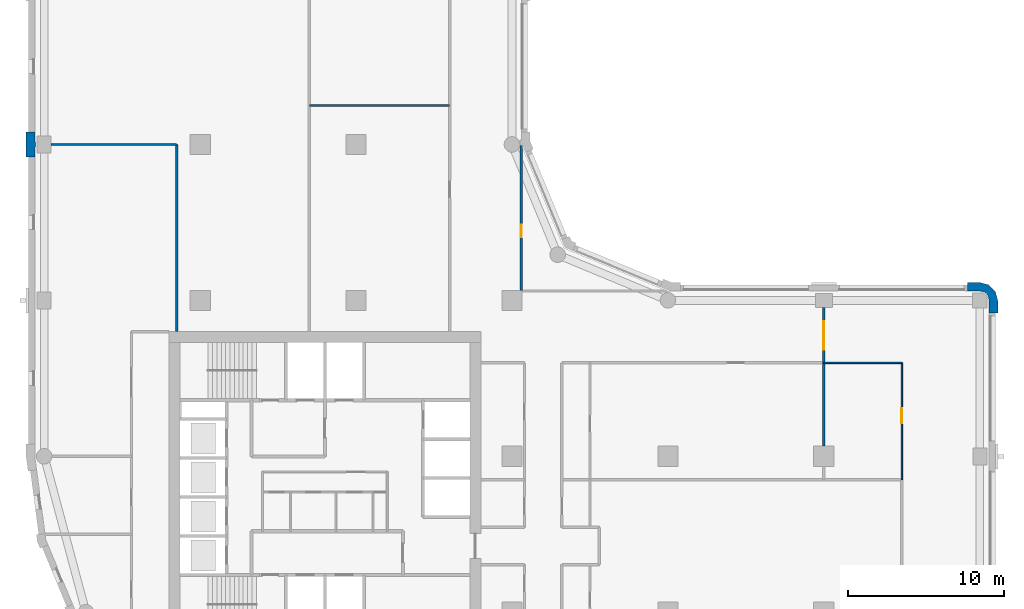
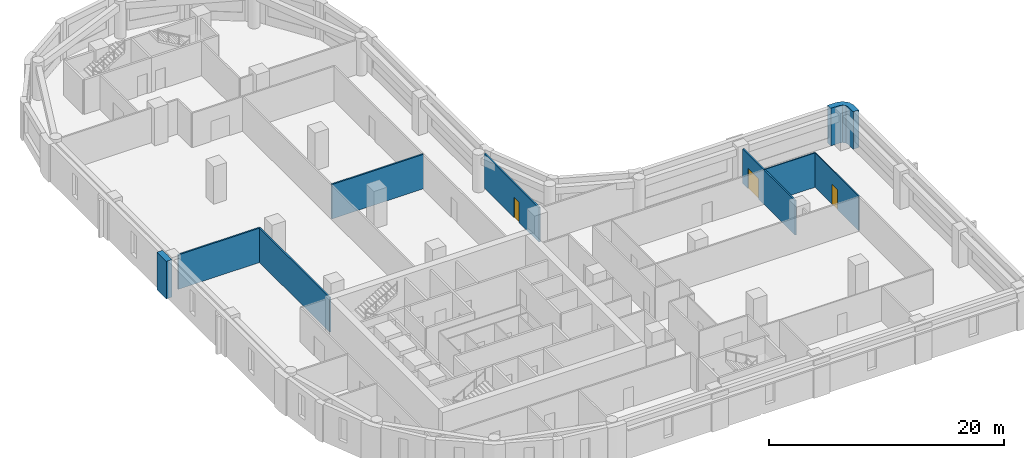
# One storey, part 5 of 9: 9 walls, 3 doors, 3 openings.
"""IFC4 building model written with IfcOpenShell, lengths in metres."""

from ifc_helpers import new_model, si_unit, direction, frame, frame_2d, origin, place, context, subcontext, project, spatial, polyline, rectangle, outline, extrude, material, layer, layer_set, type_object, element, fill, save


model = new_model("IFC4")

# Units and contexts
model_context = context("Model", 3, precision=1e-05, world=origin(), true_north=direction((0.0, 1.0)))
body_context = subcontext(model_context, "Body", "Model", "MODEL_VIEW")
ifc_project = project(units=[si_unit("LENGTHUNIT", "METRE"), si_unit("AREAUNIT", "SQUARE_METRE"), si_unit("VOLUMEUNIT", "CUBIC_METRE"), si_unit("PLANEANGLEUNIT", "RADIAN"), si_unit("MASSUNIT", "GRAM", prefix="KILO")], contexts=[model_context])

# Site, building, storey
site_placement = place(None, origin())
site = spatial("IfcSite", under=ifc_project, at=site_placement, CompositionType="ELEMENT")
building_placement = place(site_placement, origin())
building = spatial("IfcBuilding", under=site, at=building_placement, Name="Qaws Garden Tower", CompositionType="ELEMENT")
storey_placement = place(building_placement, frame((0.0, 0.0, 166.800048828125)))
storey = spatial("IfcBuildingStorey", under=building, at=storey_placement, Name="L40", CompositionType="ELEMENT", Elevation=166.800048828125)

# Walls
ifc_material_1 = material(Name="Buff clay facing brick masonry", Category="masonry")
ifc_layer_1 = layer(ifc_material_1, 0.550048828125)
ifc_layer_set_1 = layer_set([ifc_layer_1], Name="Buff clay facing brick masonry")
wall_type_1 = type_object("IfcWallType", Name="Buff brick corner pier 550 x 2400", PredefinedType="SOLIDWALL", material=ifc_layer_set_1)
placement = place(storey_placement, origin())
element("IfcWall", 1, at=placement, inside=storey, type_object=wall_type_1, Name="E-L40-pier-07", PredefinedType="SOLIDWALL", context=body_context, shape_type="SweptSolid", body=[
    extrude(outline(polyline([(61.0, 29.199951171875), (61.14990234375, 29.199951171875), (61.14990234375, 30.0), (60.995849609375, 30.574951171875), (60.574951171875, 30.995849609375), (60.0, 31.14990234375), (59.199951171875, 31.14990234375), (59.199951171875, 31.0), (59.199951171875, 30.60009765625), (60.0, 30.60009765625), (60.300048828125, 30.51953125), (60.51953125, 30.300048828125), (60.60009765625, 30.0), (60.60009765625, 29.199951171875), (61.0, 29.199951171875)])), origin(), (0.0, 0.0, 1.0), 3.89990234375),
])
ifc_material_2 = material(Name="Buff clay facing brick masonry", Category="masonry")
ifc_layer_2 = layer(ifc_material_2, 0.550048828125)
ifc_layer_set_2 = layer_set([ifc_layer_2], Name="Buff clay facing brick masonry")
wall_type_2 = type_object("IfcWallType", Name="Buff brick pier 550 x 1600", PredefinedType="SOLIDWALL", material=ifc_layer_set_2)
element("IfcWall", 2, at=placement, inside=storey, type_object=wall_type_2, Name="E-L40-pier-23", PredefinedType="SOLIDWALL", context=body_context, shape_type="SweptSolid", body=[
    extrude(outline(polyline([(-0.60009765625, 39.199951171875), (-0.60009765625, 39.85009765625), (-0.550048828125, 39.85009765625), (-0.550048828125, 40.14990234375), (-0.60009765625, 40.14990234375), (-0.60009765625, 40.800048828125), (-1.0, 40.800048828125), (-1.14990234375, 40.800048828125), (-1.14990234375, 40.0), (-1.14990234375, 39.199951171875), (-1.0, 39.199951171875), (-0.60009765625, 39.199951171875)])), origin(), (0.0, 0.0, 1.0), 3.89990234375),
])

# Wall, opening, door
ifc_material_3 = material(Name="Gypsum board partition")
ifc_layer_3 = layer(ifc_material_3, 0.10009765625)
ifc_layer_set_3 = layer_set([ifc_layer_3], Name="Gypsum board partition")
wall_type_3 = type_object("IfcWallType", Name="PARTITION 100", PredefinedType="PARTITIONING", material=ifc_layer_set_3)
wall_3_placement = place(storey_placement, frame((55.0, 18.5, 0.0), z_axis=(0.0, 0.0, 1.0), x_axis=(0.0, 1.0, 0.0)))
wall_3 = element("IfcWall", 3, at=wall_3_placement, inside=storey, type_object=wall_type_3, Name="O-L40-wall-003", PredefinedType="PARTITIONING", context=body_context, shape_type="SweptSolid", body=[
    extrude(rectangle(XDim=7.5, YDim=0.10009765625, at=frame_2d((3.75, 0.0))), origin(), (0.0, 0.0, 1.0), 3.579833984375),
])
opening_1_placement = place(wall_3_placement, frame((3.625, 0.0, 0.0)))
opening_1 = element("IfcOpeningElement", 4, at=opening_1_placement, cuts=wall_3, Name="Opening B422", PredefinedType="OPENING", context=body_context, shape_type="SweptSolid", body=[
    extrude(rectangle(XDim=0.949951171875, YDim=2.10009765625, at=frame_2d((0.47509765625, 1.050048828125))), frame((0.0, 0.06005859375, 0.0), z_axis=(0.0, -1.0, 0.0), x_axis=(1.0, 0.0, 0.0)), (0.0, 0.0, 1.0), 0.1201171875),
])
ifc_material_4 = material(Name="Timber and glass door leaf", Category="wood")
door_type_1 = type_object("IfcDoorType", Name="GLAZED DOOR 950 X 2100", OperationType="SINGLE_SWING_LEFT", PredefinedType="DOOR", material=ifc_material_4)
door_1_placement = place(opening_1_placement, origin())
door_1 = element("IfcDoor", 5, at=door_1_placement, inside=storey, type_object=door_type_1, Name="O-L40-door-022", OperationType="SINGLE_SWING_RIGHT", OverallHeight=2.10009765625, OverallWidth=0.949951171875, PredefinedType="DOOR", context=body_context, shape_type="SweptSolid", body=[
    extrude(rectangle(XDim=0.949951171875, YDim=2.10009765625, at=frame_2d((0.47509765625, 1.050048828125))), frame((0.0, 0.02490234375, 0.0), z_axis=(0.0, -1.0, 0.0), x_axis=(1.0, 0.0, 0.0)), (0.0, 0.0, 1.0), 0.050048828125),
])
fill(opening_1, door_1)

# Walls
wall_4_placement = place(storey_placement, frame((50.0, 26.0, 0.0), z_axis=(0.0, 0.0, 1.0), x_axis=(1.0, 0.0, 0.0)))
element("IfcWall", 6, at=wall_4_placement, inside=storey, type_object=wall_type_3, Name="O-L40-wall-005", PredefinedType="PARTITIONING", context=body_context, shape_type="SweptSolid", body=[
    extrude(rectangle(XDim=5.0, YDim=0.10009765625, at=frame_2d((2.5, 0.0))), origin(), (0.0, 0.0, 1.0), 3.579833984375),
])
ifc_material_5 = material(Name="Gypsum board partition")
ifc_layer_4 = layer(ifc_material_5, 0.14990234375)
ifc_layer_set_4 = layer_set([ifc_layer_4], Name="Gypsum board partition")
wall_type_4 = type_object("IfcWallType", Name="PARTITION 150 EI 60", PredefinedType="PARTITIONING", material=ifc_layer_set_4)
wall_5_placement = place(storey_placement, frame((8.5, 28.0, 0.0), z_axis=(0.0, 0.0, 1.0), x_axis=(0.0, 1.0, 0.0)))
element("IfcWall", 7, at=wall_5_placement, inside=storey, type_object=wall_type_4, Name="O-L40-wall-008", PredefinedType="PARTITIONING", context=body_context, shape_type="SweptSolid", body=[
    extrude(rectangle(XDim=12.0, YDim=0.14990234375, at=frame_2d((6.0, 0.0))), origin(), (0.0, 0.0, 1.0), 3.579833984375),
])

# Wall, opening, door
wall_6_placement = place(storey_placement, frame((30.60009765625, 30.64990234375, 0.0), z_axis=(0.0, 0.0, 1.0), x_axis=(0.0, 1.0, 0.0)))
wall_6 = element("IfcWall", 8, at=wall_6_placement, inside=storey, type_object=wall_type_4, Name="O-L40-wall-015", PredefinedType="PARTITIONING", context=body_context, shape_type="SweptSolid", body=[
    extrude(rectangle(XDim=9.288330078125, YDim=0.14990234375, at=frame_2d((4.64404296875, 0.0))), origin(), (0.0, 0.0, 1.0), 3.579833984375),
])
opening_2_placement = place(wall_6_placement, frame((3.39990234375, 0.0, 0.0)))
opening_2 = element("IfcOpeningElement", 9, at=opening_2_placement, cuts=wall_6, Name="Opening B413", PredefinedType="OPENING", context=body_context, shape_type="SweptSolid", body=[
    extrude(rectangle(XDim=0.800048828125, YDim=2.10009765625, at=frame_2d((0.39990234375, 1.050048828125))), frame((0.0, 0.0849609375, 0.0), z_axis=(0.0, -1.0, 0.0), x_axis=(1.0, 0.0, 0.0)), (0.0, 0.0, 1.0), 0.169921875),
])
ifc_material_6 = material(Name="Timber door leaf", Category="wood")
door_type_2 = type_object("IfcDoorType", Name="STORE DOOR 800 X 2100", OperationType="SINGLE_SWING_LEFT", PredefinedType="DOOR", material=ifc_material_6)
door_2_placement = place(opening_2_placement, frame((0.800048828125, 0.0, 0.0), z_axis=(0.0, 0.0, 1.0), x_axis=(-1.0, 0.0, 0.0)))
door_2 = element("IfcDoor", 10, at=door_2_placement, inside=storey, type_object=door_type_2, Name="O-L40-door-013", OperationType="SINGLE_SWING_LEFT", OverallHeight=2.10009765625, OverallWidth=0.800048828125, PredefinedType="DOOR", context=body_context, shape_type="SweptSolid", body=[
    extrude(rectangle(XDim=0.800048828125, YDim=2.10009765625, at=frame_2d((0.39990234375, 1.050048828125))), frame((0.0, 0.02490234375, 0.0), z_axis=(0.0, -1.0, 0.0), x_axis=(1.0, 0.0, 0.0)), (0.0, 0.0, 1.0), 0.050048828125),
])
fill(opening_2, door_2)

wall_7_placement = place(storey_placement, frame((50.0, 20.64990234375, 0.0), z_axis=(0.0, 0.0, 1.0), x_axis=(0.0, 1.0, 0.0)))
wall_7 = element("IfcWall", 11, at=wall_7_placement, inside=storey, type_object=wall_type_4, Name="O-L40-wall-027", PredefinedType="PARTITIONING", context=body_context, shape_type="SweptSolid", body=[
    extrude(rectangle(XDim=8.900146484375, YDim=0.14990234375, at=frame_2d((4.4501953125, 0.0))), origin(), (0.0, 0.0, 1.0), 3.579833984375),
])
opening_3_placement = place(wall_7_placement, frame((6.199951171875, 0.0, 0.0)))
opening_3 = element("IfcOpeningElement", 12, at=opening_3_placement, cuts=wall_7, Name="Opening B406", PredefinedType="OPENING", context=body_context, shape_type="SweptSolid", body=[
    extrude(rectangle(XDim=1.800048828125, YDim=2.10009765625, at=frame_2d((0.89990234375, 1.050048828125))), frame((0.0, 0.0849609375, 0.0), z_axis=(0.0, -1.0, 0.0), x_axis=(1.0, 0.0, 0.0)), (0.0, 0.0, 1.0), 0.169921875),
])
ifc_material_7 = material(Name="Timber door leaf", Category="wood")
door_type_3 = type_object("IfcDoorType", Name="DOUBLE DOOR 1800 X 2100", OperationType="DOUBLE_DOOR_SINGLE_SWING", PredefinedType="DOOR", material=ifc_material_7)
door_3_placement = place(opening_3_placement, frame((1.800048828125, 0.0, 0.0), z_axis=(0.0, 0.0, 1.0), x_axis=(-1.0, 0.0, 0.0)))
door_3 = element("IfcDoor", 13, at=door_3_placement, inside=storey, type_object=door_type_3, Name="O-L40-door-006", OperationType="DOUBLE_DOOR_SINGLE_SWING", OverallHeight=2.10009765625, OverallWidth=1.800048828125, PredefinedType="DOOR", context=body_context, shape_type="SweptSolid", body=[
    extrude(rectangle(XDim=1.800048828125, YDim=2.10009765625, at=frame_2d((0.89990234375, 1.050048828125))), frame((0.0, 0.02490234375, 0.0), z_axis=(0.0, -1.0, 0.0), x_axis=(1.0, 0.0, 0.0)), (0.0, 0.0, 1.0), 0.050048828125),
])
fill(opening_3, door_3)

# Walls
wall_8_placement = place(storey_placement, frame((0.449951171875, 40.0, 0.0), z_axis=(0.0, 0.0, 1.0), x_axis=(1.0, 0.0, 0.0)))
element("IfcWall", 14, at=wall_8_placement, inside=storey, type_object=wall_type_4, Name="O-L40-wall-046", PredefinedType="PARTITIONING", context=body_context, shape_type="SweptSolid", body=[
    extrude(rectangle(XDim=8.050048828125, YDim=0.14990234375, at=frame_2d((4.02490234375, 0.0))), origin(), (0.0, 0.0, 1.0), 3.579833984375),
])
wall_9_placement = place(storey_placement, frame((17.0, 42.5, 0.0), z_axis=(0.0, 0.0, 1.0), x_axis=(1.0, 0.0, 0.0)))
element("IfcWall", 15, at=wall_9_placement, inside=storey, type_object=wall_type_4, Name="O-L40-wall-047", PredefinedType="PARTITIONING", context=body_context, shape_type="SweptSolid", body=[
    extrude(rectangle(XDim=9.0, YDim=0.14990234375, at=frame_2d((4.5, 0.0))), origin(), (0.0, 0.0, 1.0), 3.579833984375),
])

save(model, "model.ifc")
